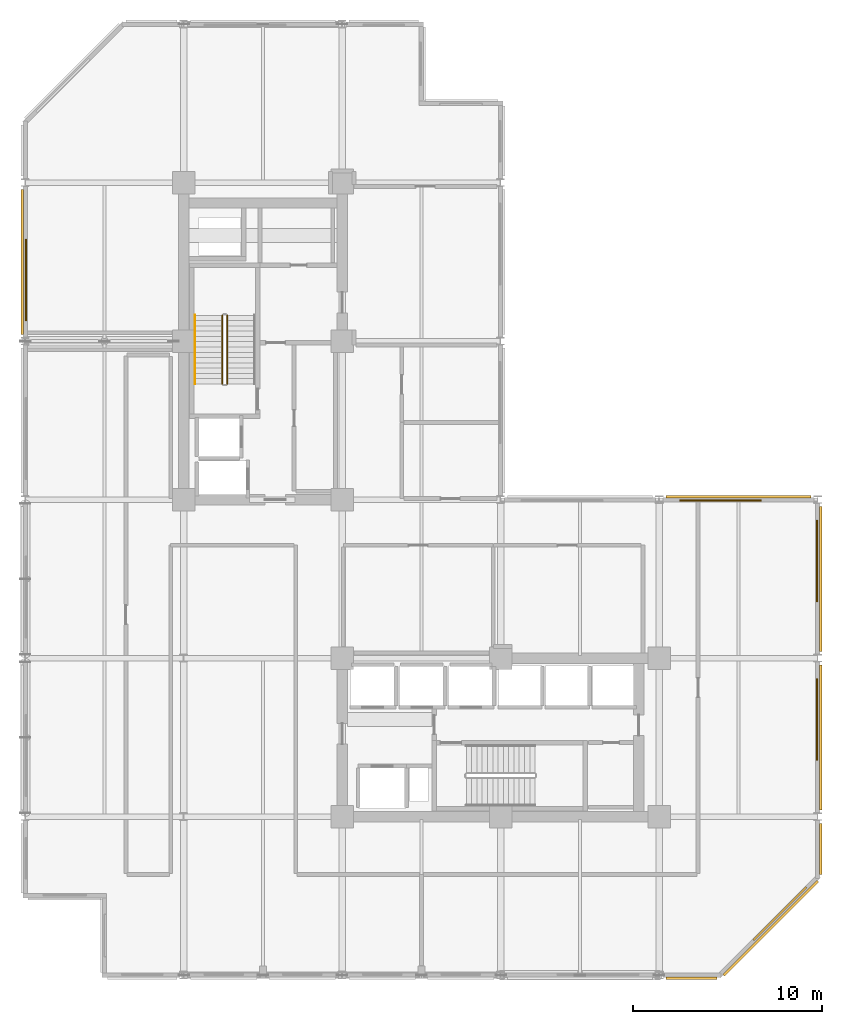
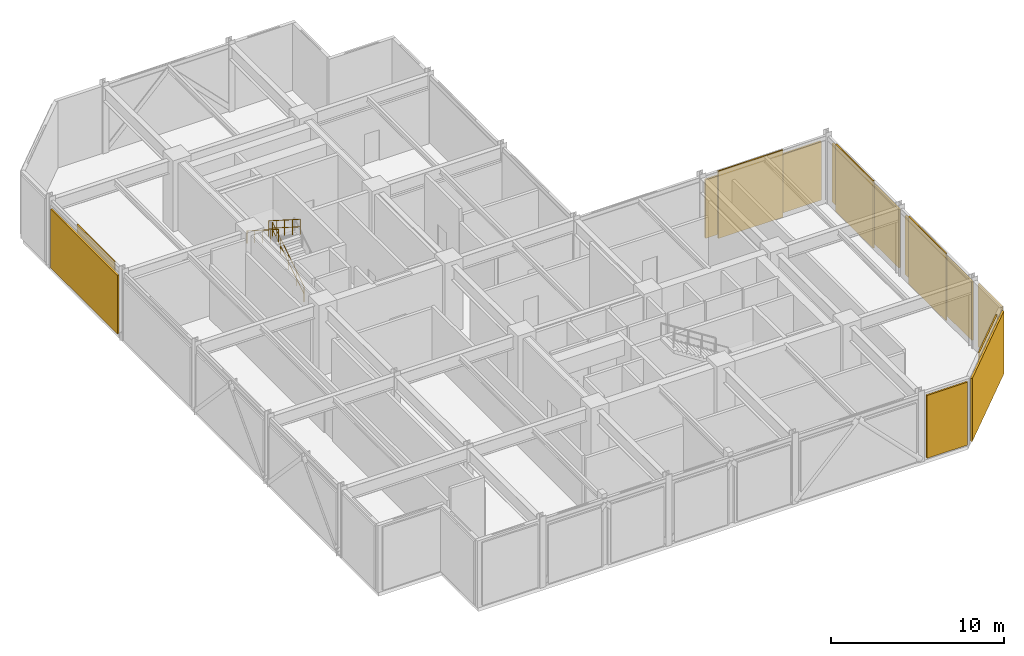
# One storey, part 9 of 10: 7 shading devices, 5 coverings, 3 railings.
"""IFC4 building model written with IfcOpenShell, lengths in metres."""

from ifc_helpers import new_model, si_unit, direction, frame, origin, origin_2d, place, context, subcontext, project, spatial, rectangle, circle, extrude, material, layer, layer_set, type_object, element, save


model = new_model("IFC4")

# Units and contexts
model_context = context("Model", 3, precision=1e-05, world=origin(), true_north=direction((0.0, 1.0)))
body_context = subcontext(model_context, "Body", "Model", "MODEL_VIEW")
ifc_project = project(units=[si_unit("LENGTHUNIT", "METRE"), si_unit("AREAUNIT", "SQUARE_METRE"), si_unit("VOLUMEUNIT", "CUBIC_METRE"), si_unit("PLANEANGLEUNIT", "RADIAN"), si_unit("MASSUNIT", "GRAM", prefix="KILO")], contexts=[model_context])

# Site, building, storey
site_placement = place(None, origin())
site = spatial("IfcSite", under=ifc_project, at=site_placement, CompositionType="ELEMENT")
building_placement = place(site_placement, origin())
building = spatial("IfcBuilding", under=site, at=building_placement, Name="Nerrivon Quay Data Exchange", CompositionType="ELEMENT")
storey_placement = place(building_placement, frame((0.0, 0.0, 162.300048828125)))
storey = spatial("IfcBuildingStorey", under=building, at=storey_placement, Name="L38", CompositionType="ELEMENT", Elevation=162.300048828125)

# Coverings
ifc_material_1 = material(Name="Architectural terracotta ceramic", Category="masonry")
ifc_layer_1 = layer(ifc_material_1, 0.090087890625)
ifc_layer_set_1 = layer_set([ifc_layer_1], Name="Architectural terracotta ceramic")
covering_type = type_object("IfcCoveringType", Name="COV-SCR-TERR", PredefinedType="CLADDING", material=ifc_layer_set_1)
covering_placement = place(storey_placement, frame((39.9921875, 3.255859375, 0.0), z_axis=(0.0, 0.0, 1.0), x_axis=(-0.707106781187, -0.707106781187, 0.0)))
element("IfcCovering", 1, at=covering_placement, inside=storey, type_object=covering_type, Name="L38 Perforated Terracotta SOLAR SCREEN Cassette", PredefinedType="CLADDING", context=body_context, shape_type="SweptSolid", body=[
    extrude(rectangle(XDim=3.970947265625, YDim=0.090087890625, at=origin_2d()), origin(), (0.0, 0.0, 1.0), 4.72509765625),
])
for number, where, z_axis, x_axis, name in (
    (2, (0.044921875, 36.840087890625, 0.0), (0.0, 0.0, 1.0), (0.0, 1.0, 0.0), "L38 Perforated Terracotta SOLAR SCREEN Cassette"),
    (3, (36.840087890625, 25.155029296875, 0.0), (0.0, 0.0, 1.0), (1.0, 0.0, 0.0), "L38 Perforated Terracotta SOLAR SCREEN Cassette"),
    (4, (41.955078125, 21.9599609375, 0.0), (0.0, 0.0, 1.0), (0.0, -1.0, 0.0), "L38 Perforated Terracotta SOLAR SCREEN Cassette"),
    (5, (41.955078125, 13.56005859375, 0.0), (0.0, 0.0, 1.0), (0.0, -1.0, 0.0), "L38 Perforated Terracotta SOLAR SCREEN Cassette"),
):
    element("IfcCovering", number, at=place(storey_placement, frame(where, z_axis=z_axis, x_axis=x_axis)), inside=storey, type_object=covering_type, Name=name, PredefinedType="CLADDING", context=body_context, shape_type="SweptSolid", body=[
        extrude(rectangle(XDim=4.320068359375, YDim=0.090087890625, at=origin_2d()), origin(), (0.0, 0.0, 1.0), 4.72509765625),
    ])

# Railings
ifc_material_2 = material(Name="Steel Grade C350L0 (350 MPa)", Category="steel")
railing_type_1 = type_object("IfcRailingType", Name="RAIL-HAND-HR1", PredefinedType="HANDRAIL", material=ifc_material_2)
railing_1_placement = place(storey_placement, frame((9.0, 34.969970703125, 2.678466796875)))
element("IfcRailing", 6, at=railing_1_placement, inside=storey, type_object=railing_type_1, Name="L38 ST01 stair handrail 2", PredefinedType="HANDRAIL", context=body_context, shape_type="SweptSolid", body=[
    extrude(circle(Radius=0.02392578125, at=origin_2d()), frame((0.0, 0.0, 0.8759765625), z_axis=(0.0, -0.843111507901, 0.53773877045), x_axis=(1.0, 0.0, 0.0)), (0.0, 0.0, 1.0), 4.317138671875),
    extrude(circle(Radius=0.02099609375, at=origin_2d()), origin(), (0.0, 0.0, 1.0), 0.851806640625),
    extrude(circle(Radius=0.02099609375, at=origin_2d()), frame((0.0, -0.909912109375, 0.580322265625)), (0.0, 0.0, 1.0), 0.851806640625),
    extrude(circle(Radius=0.02099609375, at=origin_2d()), frame((0.0, -1.81982421875, 1.16064453125)), (0.0, 0.0, 1.0), 0.851806640625),
    extrude(circle(Radius=0.02099609375, at=origin_2d()), frame((0.0, -2.72998046875, 1.7412109375)), (0.0, 0.0, 1.0), 0.851806640625),
    extrude(circle(Radius=0.02099609375, at=origin_2d()), frame((0.0, -3.639892578125, 2.321533203125)), (0.0, 0.0, 1.0), 0.851806640625),
])
railing_type_2 = type_object("IfcRailingType", Name="RAIL-STAIR-GR1", PredefinedType="BALUSTRADE", material=ifc_material_2)
railing_2_placement = place(storey_placement, frame((10.699951171875, 31.330078125, 0.178466796875)))
element("IfcRailing", 7, at=railing_2_placement, inside=storey, type_object=railing_type_2, Name="L38 ST01 stair guard 1", PredefinedType="BALUSTRADE", context=body_context, shape_type="SweptSolid", body=[
    extrude(circle(Radius=0.02392578125, at=origin_2d()), frame((0.0, 0.0, 1.076171875), z_axis=(0.0, 0.843111507901, 0.53773877045), x_axis=(-1.0, 0.0, 0.0)), (0.0, 0.0, 1.0), 4.317138671875),
    extrude(circle(Radius=0.02392578125, at=origin_2d()), frame((0.0, 0.0, 0.550048828125), z_axis=(0.0, 0.843111507901, 0.53773877045), x_axis=(-1.0, 0.0, 0.0)), (0.0, 0.0, 1.0), 4.317138671875),
    extrude(circle(Radius=0.02099609375, at=origin_2d()), origin(), (0.0, 0.0, 1.0), 1.052001953125),
    extrude(circle(Radius=0.02099609375, at=origin_2d()), frame((0.0, 0.909912109375, 0.580322265625)), (0.0, 0.0, 1.0), 1.052001953125),
    extrude(circle(Radius=0.02099609375, at=origin_2d()), frame((0.0, 1.81982421875, 1.16064453125)), (0.0, 0.0, 1.0), 1.052001953125),
    extrude(circle(Radius=0.02099609375, at=origin_2d()), frame((0.0, 2.72998046875, 1.7412109375)), (0.0, 0.0, 1.0), 1.052001953125),
    extrude(circle(Radius=0.02099609375, at=origin_2d()), frame((0.0, 3.639892578125, 2.321533203125)), (0.0, 0.0, 1.0), 1.052001953125),
])
railing_3_placement = place(storey_placement, frame((10.449951171875, 34.969970703125, 2.678466796875)))
element("IfcRailing", 8, at=railing_3_placement, inside=storey, type_object=railing_type_2, Name="L38 ST01 stair guard 3", PredefinedType="BALUSTRADE", context=body_context, shape_type="SweptSolid", body=[
    extrude(circle(Radius=0.02392578125, at=origin_2d()), frame((0.0, 0.0, 1.076171875), z_axis=(0.0, -0.843111507901, 0.53773877045), x_axis=(1.0, 0.0, 0.0)), (0.0, 0.0, 1.0), 4.317138671875),
    extrude(circle(Radius=0.02392578125, at=origin_2d()), frame((0.0, 0.0, 0.550048828125), z_axis=(0.0, -0.843111507901, 0.53773877045), x_axis=(1.0, 0.0, 0.0)), (0.0, 0.0, 1.0), 4.317138671875),
    extrude(circle(Radius=0.02099609375, at=origin_2d()), origin(), (0.0, 0.0, 1.0), 1.052001953125),
    extrude(circle(Radius=0.02099609375, at=origin_2d()), frame((0.0, -0.909912109375, 0.580322265625)), (0.0, 0.0, 1.0), 1.052001953125),
    extrude(circle(Radius=0.02099609375, at=origin_2d()), frame((0.0, -1.81982421875, 1.16064453125)), (0.0, 0.0, 1.0), 1.052001953125),
    extrude(circle(Radius=0.02099609375, at=origin_2d()), frame((0.0, -2.72998046875, 1.7412109375)), (0.0, 0.0, 1.0), 1.052001953125),
    extrude(circle(Radius=0.02099609375, at=origin_2d()), frame((0.0, -3.639892578125, 2.321533203125)), (0.0, 0.0, 1.0), 1.052001953125),
])

# Shading devices
ifc_material_3 = material(Name="Anodised aluminium 6063-T6", Category="aluminium")
ifc_layer_2 = layer(ifc_material_3, 0.1201171875)
ifc_layer_set_2 = layer_set([ifc_layer_2], Name="Anodised aluminium 6063-T6")
shading_device_type = type_object("IfcShadingDeviceType", Name="SHD-LOUV-LV01", PredefinedType="JALOUSIE", material=ifc_layer_set_2)
shading_device_1_placement = place(storey_placement, frame((39.51318359375, 2.48681640625, 0.14990234375), z_axis=(0.0, 0.0, 1.0), x_axis=(-0.707106781187, -0.707106781187, 0.0)))
element("IfcShadingDevice", 9, at=shading_device_1_placement, inside=storey, type_object=shading_device_type, Name="L38 Acoustic Plant Louvre LV01-1", PredefinedType="JALOUSIE", context=body_context, shape_type="SweptSolid", body=[
    extrude(rectangle(XDim=7.053955078125, YDim=0.1201171875, at=origin_2d()), origin(), (0.0, 0.0, 1.0), 4.425048828125),
])
shading_device_2_placement = place(storey_placement, frame((35.300048828125, -0.159912109375, 0.14990234375), z_axis=(0.0, 0.0, 1.0), x_axis=(-1.0, 0.0, 0.0)))
element("IfcShadingDevice", 10, at=shading_device_2_placement, inside=storey, type_object=shading_device_type, Name="L38 Acoustic Plant Louvre LV01-2", PredefinedType="JALOUSIE", context=body_context, shape_type="SweptSolid", body=[
    extrude(rectangle(XDim=2.699951171875, YDim=0.1201171875, at=origin_2d()), origin(), (0.0, 0.0, 1.0), 4.425048828125),
])
for number, where, z_axis, x_axis, name in (
    (11, (-0.159912109375, 37.800048828125, 0.14990234375), (0.0, 0.0, 1.0), (0.0, 1.0, 0.0), "L38 Acoustic Plant Louvre LV01-15"),
    (12, (37.800048828125, 25.360107421875, 0.14990234375), (0.0, 0.0, 1.0), (1.0, 0.0, 0.0), "L38 Acoustic Plant Louvre LV01-27"),
    (13, (42.159912109375, 21.0, 0.14990234375), (0.0, 0.0, 1.0), (0.0, -1.0, 0.0), "L38 Acoustic Plant Louvre LV01-28"),
    (14, (42.159912109375, 12.60009765625, 0.14990234375), (0.0, 0.0, 1.0), (0.0, -1.0, 0.0), "L38 Acoustic Plant Louvre LV01-29"),
):
    element("IfcShadingDevice", number, at=place(storey_placement, frame(where, z_axis=z_axis, x_axis=x_axis)), inside=storey, type_object=shading_device_type, Name=name, PredefinedType="JALOUSIE", context=body_context, shape_type="SweptSolid", body=[
        extrude(rectangle(XDim=7.699951171875, YDim=0.1201171875, at=origin_2d()), origin(), (0.0, 0.0, 1.0), 4.125),
    ])
shading_device_3_placement = place(storey_placement, frame((42.159912109375, 6.699951171875, 0.14990234375), z_axis=(0.0, 0.0, 1.0), x_axis=(0.0, -1.0, 0.0)))
element("IfcShadingDevice", 15, at=shading_device_3_placement, inside=storey, type_object=shading_device_type, Name="L38 Acoustic Plant Louvre LV01-30", PredefinedType="JALOUSIE", context=body_context, shape_type="SweptSolid", body=[
    extrude(rectangle(XDim=2.699951171875, YDim=0.1201171875, at=origin_2d()), origin(), (0.0, 0.0, 1.0), 4.425048828125),
])

save(model, "model.ifc")
